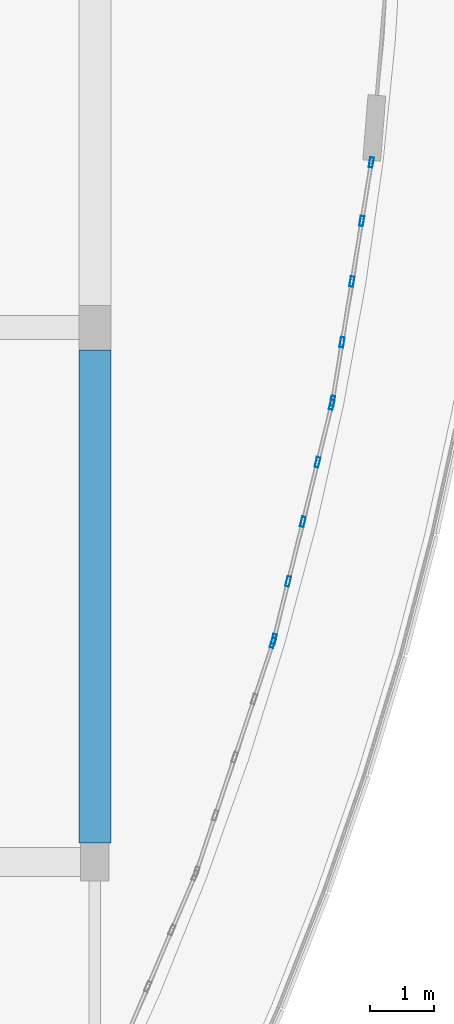
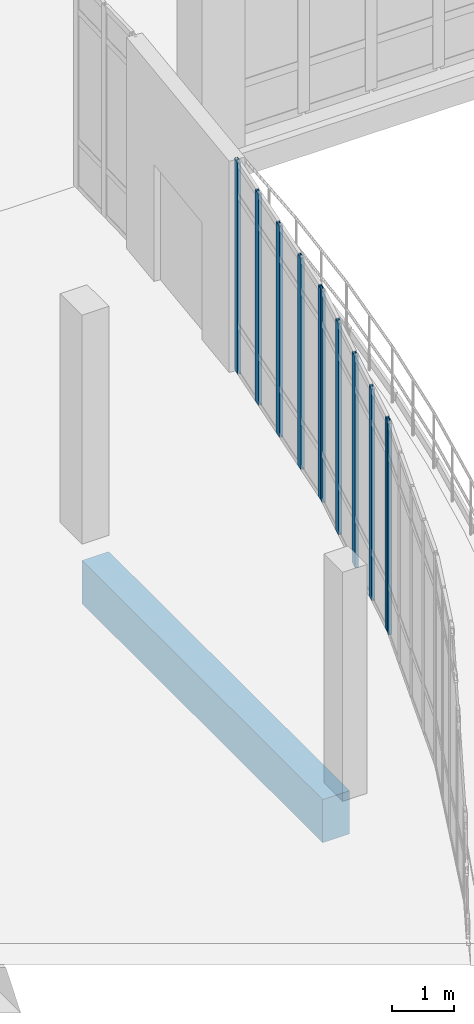
# One storey, part 68 of 124: 11 members, 1 beam, 3 elements without a shape of their own.
"""IFC4 building model written with IfcOpenShell, lengths in metres."""

from ifc_helpers import new_model, si_unit, direction, frame, origin, origin_2d, place, context, subcontext, project, spatial, rectangle, hollow_rectangle, extrude, material, material_profile, profile_set, type_object, element, aggregate, save


model = new_model("IFC4")

# Units and contexts
model_context = context("Model", 3, precision=1e-05, world=origin(), true_north=direction((0.0, 1.0)))
body_context = subcontext(model_context, "Body", "Model", "MODEL_VIEW")
ifc_project = project(units=[si_unit("LENGTHUNIT", "METRE"), si_unit("AREAUNIT", "SQUARE_METRE"), si_unit("VOLUMEUNIT", "CUBIC_METRE"), si_unit("PLANEANGLEUNIT", "RADIAN"), si_unit("MASSUNIT", "GRAM", prefix="KILO")], contexts=[model_context])

# Site, building, storey
site_placement = place(None, origin())
site = spatial("IfcSite", under=ifc_project, at=site_placement, CompositionType="ELEMENT")
building_placement = place(site_placement, origin())
building = spatial("IfcBuilding", under=site, at=building_placement, Name="Kalluvel Institute of Natural Sciences", CompositionType="ELEMENT")
storey_placement = place(building_placement, frame((0.0, 0.0, 9.89990234375)))
storey = spatial("IfcBuildingStorey", under=building, at=storey_placement, Name="L02", CompositionType="ELEMENT", Elevation=9.89990234375)

# Beam
ifc_material_1 = material(Name="Concrete M50", Category="concrete")
ifc_material_profile_1 = material_profile(ifc_material_1, rectangle(XDim=0.5, YDim=0.85009765625, at=origin_2d()), Name="RCB 500x850")
ifc_profile_set_1 = profile_set([ifc_material_profile_1], Name="Concrete M50")
beam_type = type_object("IfcBeamType", Name="BM-RC500x850", PredefinedType="BEAM", material=ifc_profile_set_1)
beam_placement = place(storey_placement, frame((78.800048828125, 86.300048828125, -0.744873046875), z_axis=(0.0, 1.0, 0.0), x_axis=(-1.0, 0.0, 0.0)))
element("IfcBeam", 1, at=beam_placement, inside=storey, type_object=beam_type, Name="L02 girder GIR-L02-NS-X788-Y860", PredefinedType="BEAM", context=body_context, shape_type="SweptSolid", body=[
    extrude(rectangle(XDim=0.5, YDim=0.85009765625, at=origin_2d()), origin(), (0.0, 0.0, 1.0), 7.75),
])

# Curtain wall, member
ifc_material_2 = material(Name="Aluminium AW-6063 T6", Category="aluminium")
curtain_wall_type = type_object("IfcCurtainWallType", Name="CW-ATR-ARC", PredefinedType="USERDEFINED", material=ifc_material_2)
curtain_wall_1_placement = place(storey_placement, origin())
curtain_wall_1 = element("IfcCurtainWall", 2, at=curtain_wall_1_placement, inside=storey, type_object=curtain_wall_type, Name="L02 Gothic lancet curtain wall CWA-L02-X804-Y858", ObjectType="UNITISED LANCET FACADE", PredefinedType="USERDEFINED")
ifc_material_profile_2 = material_profile(ifc_material_2, hollow_rectangle(XDim=0.06005859375, YDim=0.159912109375, WallThickness=0.00390625, at=origin_2d()), Name="CWM 60x160")
ifc_profile_set_2 = profile_set([ifc_material_profile_2], Name="Aluminium AW-6063 T6")
member_type = type_object("IfcMemberType", Name="CWM-60x160", PredefinedType="MULLION", material=ifc_profile_set_2)
member_1_placement = place(storey_placement, frame((81.599365234375, 89.44482421875, 0.0), z_axis=(0.0, 0.0, 1.0), x_axis=(-0.948540622408, 0.316655471516, 0.0)))
member_1 = element("IfcMember", 3, at=member_1_placement, type_object=member_type, Name="CW-05 mullion 5", PredefinedType="MULLION", context=body_context, shape_type="SweptSolid", body=[
    extrude(hollow_rectangle(XDim=0.06005859375, YDim=0.159912109375, WallThickness=0.00390625, at=origin_2d()), origin(), (0.0, 0.0, 1.0), 4.150146484375),
])
aggregate(curtain_wall_1, [member_1])

# Curtain wall, members
curtain_wall_2_placement = place(storey_placement, origin())
curtain_wall_2 = element("IfcCurtainWall", 4, at=curtain_wall_2_placement, inside=storey, type_object=curtain_wall_type, Name="L02 Gothic lancet curtain wall CWA-L02-X816-Y895", ObjectType="UNITISED LANCET FACADE", PredefinedType="USERDEFINED")
member_2_placement = place(storey_placement, frame((81.615966796875, 89.50244140625, 0.0), z_axis=(0.0, 0.0, 1.0), x_axis=(-0.970939298785, 0.239325882586, 0.0)))
member_2 = element("IfcMember", 5, at=member_2_placement, type_object=member_type, Name="CW-05 mullion 1", PredefinedType="MULLION", context=body_context, shape_type="SweptSolid", body=[
    extrude(hollow_rectangle(XDim=0.06005859375, YDim=0.159912109375, WallThickness=0.00390625, at=origin_2d()), origin(), (0.0, 0.0, 1.0), 4.150146484375),
])
member_3_placement = place(storey_placement, frame((81.839599609375, 90.40966796875, 0.0), z_axis=(0.0, 0.0, 1.0), x_axis=(-0.970939298785, 0.239325882586, 0.0)))
member_3 = element("IfcMember", 6, at=member_3_placement, type_object=member_type, Name="CW-05 mullion 2", PredefinedType="MULLION", context=body_context, shape_type="SweptSolid", body=[
    extrude(hollow_rectangle(XDim=0.06005859375, YDim=0.159912109375, WallThickness=0.00390625, at=origin_2d()), origin(), (0.0, 0.0, 1.0), 4.150146484375),
])
member_4_placement = place(storey_placement, frame((82.0703125, 91.34619140625, 0.0), z_axis=(0.0, 0.0, 1.0), x_axis=(-0.970939298785, 0.239325882586, 0.0)))
member_4 = element("IfcMember", 7, at=member_4_placement, type_object=member_type, Name="CW-05 mullion 3", PredefinedType="MULLION", context=body_context, shape_type="SweptSolid", body=[
    extrude(hollow_rectangle(XDim=0.06005859375, YDim=0.159912109375, WallThickness=0.00390625, at=origin_2d()), origin(), (0.0, 0.0, 1.0), 4.150146484375),
])
member_5_placement = place(storey_placement, frame((82.30126953125, 92.282470703125, 0.0), z_axis=(0.0, 0.0, 1.0), x_axis=(-0.970939298785, 0.239325882586, 0.0)))
member_5 = element("IfcMember", 8, at=member_5_placement, type_object=member_type, Name="CW-05 mullion 4", PredefinedType="MULLION", context=body_context, shape_type="SweptSolid", body=[
    extrude(hollow_rectangle(XDim=0.06005859375, YDim=0.159912109375, WallThickness=0.00390625, at=origin_2d()), origin(), (0.0, 0.0, 1.0), 4.150146484375),
])
member_6_placement = place(storey_placement, frame((82.52490234375, 93.189697265625, 0.0), z_axis=(0.0, 0.0, 1.0), x_axis=(-0.970939298785, 0.239325882586, 0.0)))
member_6 = element("IfcMember", 9, at=member_6_placement, type_object=member_type, Name="CW-05 mullion 5", PredefinedType="MULLION", context=body_context, shape_type="SweptSolid", body=[
    extrude(hollow_rectangle(XDim=0.06005859375, YDim=0.159912109375, WallThickness=0.00390625, at=origin_2d()), origin(), (0.0, 0.0, 1.0), 4.150146484375),
])
aggregate(curtain_wall_2, [member_2, member_3, member_4, member_5, member_6])

curtain_wall_3_placement = place(storey_placement, origin())
curtain_wall_3 = element("IfcCurtainWall", 10, at=curtain_wall_3_placement, inside=storey, type_object=curtain_wall_type, Name="L02 Gothic lancet curtain wall CWA-L02-X825-Y932", ObjectType="UNITISED LANCET FACADE", PredefinedType="USERDEFINED")
member_7_placement = place(storey_placement, frame((82.536865234375, 93.248291015625, 0.0), z_axis=(0.0, 0.0, 1.0), x_axis=(-0.987049399712, 0.160416590565, 0.0)))
member_7 = element("IfcMember", 11, at=member_7_placement, type_object=member_type, Name="CW-05 mullion 1", PredefinedType="MULLION", context=body_context, shape_type="SweptSolid", body=[
    extrude(hollow_rectangle(XDim=0.06005859375, YDim=0.159912109375, WallThickness=0.00390625, at=origin_2d()), origin(), (0.0, 0.0, 1.0), 4.150146484375),
])
member_8_placement = place(storey_placement, frame((82.686767578125, 94.170654296875, 0.0), z_axis=(0.0, 0.0, 1.0), x_axis=(-0.987049399712, 0.160416590565, 0.0)))
member_8 = element("IfcMember", 12, at=member_8_placement, type_object=member_type, Name="CW-05 mullion 2", PredefinedType="MULLION", context=body_context, shape_type="SweptSolid", body=[
    extrude(hollow_rectangle(XDim=0.06005859375, YDim=0.159912109375, WallThickness=0.00390625, at=origin_2d()), origin(), (0.0, 0.0, 1.0), 4.150146484375),
])
member_9_placement = place(storey_placement, frame((82.84130859375, 95.12255859375, 0.0), z_axis=(0.0, 0.0, 1.0), x_axis=(-0.987049399712, 0.160416590565, 0.0)))
member_9 = element("IfcMember", 13, at=member_9_placement, type_object=member_type, Name="CW-05 mullion 3", PredefinedType="MULLION", context=body_context, shape_type="SweptSolid", body=[
    extrude(hollow_rectangle(XDim=0.06005859375, YDim=0.159912109375, WallThickness=0.00390625, at=origin_2d()), origin(), (0.0, 0.0, 1.0), 4.150146484375),
])
member_10_placement = place(storey_placement, frame((82.99609375, 96.074462890625, 0.0), z_axis=(0.0, 0.0, 1.0), x_axis=(-0.987049399712, 0.160416590565, 0.0)))
member_10 = element("IfcMember", 14, at=member_10_placement, type_object=member_type, Name="CW-05 mullion 4", PredefinedType="MULLION", context=body_context, shape_type="SweptSolid", body=[
    extrude(hollow_rectangle(XDim=0.06005859375, YDim=0.159912109375, WallThickness=0.00390625, at=origin_2d()), origin(), (0.0, 0.0, 1.0), 4.150146484375),
])
member_11_placement = place(storey_placement, frame((83.14599609375, 96.99658203125, 0.0), z_axis=(0.0, 0.0, 1.0), x_axis=(-0.987049399712, 0.160416590565, 0.0)))
member_11 = element("IfcMember", 15, at=member_11_placement, type_object=member_type, Name="CW-05 mullion 5", PredefinedType="MULLION", context=body_context, shape_type="SweptSolid", body=[
    extrude(hollow_rectangle(XDim=0.06005859375, YDim=0.159912109375, WallThickness=0.00390625, at=origin_2d()), origin(), (0.0, 0.0, 1.0), 4.150146484375),
])
aggregate(curtain_wall_3, [member_7, member_8, member_9, member_10, member_11])

save(model, "model.ifc")
